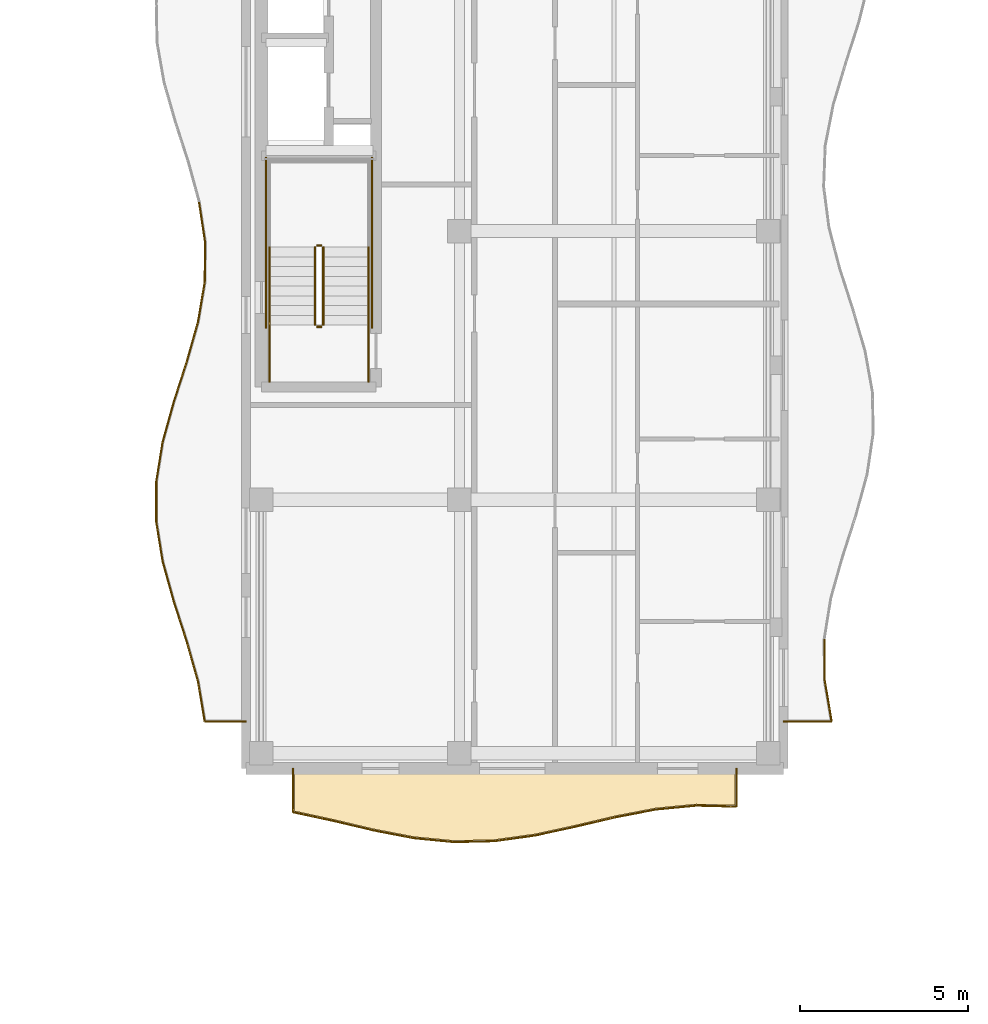
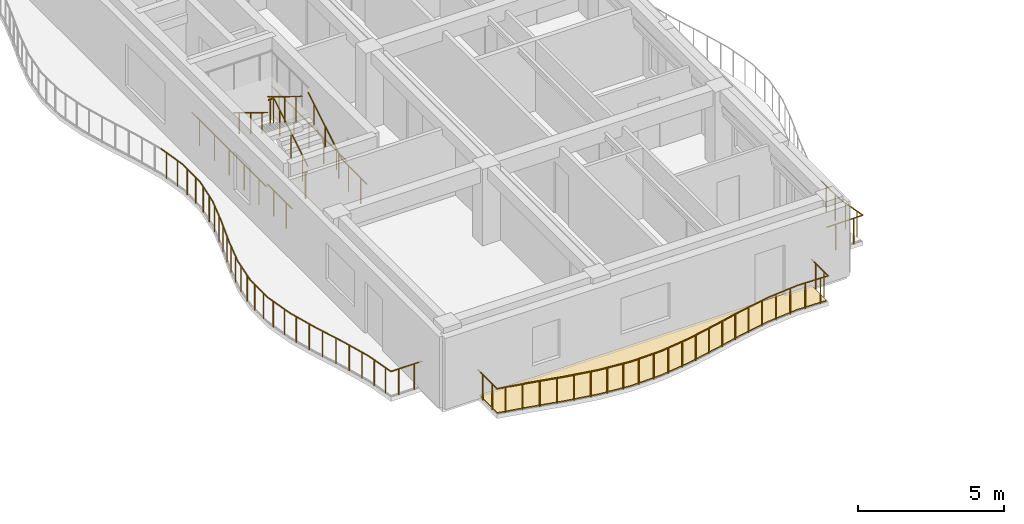
# One storey, part 70 of 89: 40 railings, 1 covering.
"""IFC4 building model written with IfcOpenShell, lengths in metres."""

from ifc_helpers import new_model, si_unit, direction, frame, origin, origin_2d, place, context, subcontext, project, spatial, polyline, circle, outline, extrude, material, layer, layer_set, type_object, element, save


model = new_model("IFC4")

# Units and contexts
model_context = context("Model", 3, precision=1e-05, world=origin(), true_north=direction((0.0, 1.0)))
body_context = subcontext(model_context, "Body", "Model", "MODEL_VIEW")
ifc_project = project(units=[si_unit("LENGTHUNIT", "METRE"), si_unit("AREAUNIT", "SQUARE_METRE"), si_unit("VOLUMEUNIT", "CUBIC_METRE"), si_unit("PLANEANGLEUNIT", "RADIAN"), si_unit("MASSUNIT", "GRAM", prefix="KILO")], contexts=[model_context])

# Site, building, storey
site_placement = place(None, origin())
site = spatial("IfcSite", under=ifc_project, at=site_placement, CompositionType="ELEMENT")
building_placement = place(site_placement, origin())
building = spatial("IfcBuilding", under=site, at=building_placement, Name="Keldmere Railside Commons", CompositionType="ELEMENT")
storey_placement = place(building_placement, frame((0.0, 0.0, 7.360107421875)))
storey = spatial("IfcBuildingStorey", under=building, at=storey_placement, Name="L02", CompositionType="ELEMENT", Elevation=7.360107421875)

# Railings
ifc_material_1 = material(Name="Steel F-24 (S235)", Category="steel")
railing_type_1 = type_object("IfcRailingType", Name="Balcony & Terrace Steel Balustrade 1100", PredefinedType="BALUSTRADE", material=ifc_material_1)
railing_1_placement = place(storey_placement, frame((120.0, 57.39990234375, 0.0)))
element("IfcRailing", 1, at=railing_1_placement, inside=storey, type_object=railing_type_1, Name="GR-1 GRD-L02-2012", PredefinedType="BALUSTRADE", context=body_context, shape_type="SweptSolid", body=[
    extrude(circle(Radius=0.02392578125, at=origin_2d()), frame((0.0, 0.0, 1.076171875), z_axis=(1.0, 0.0, 0.0), x_axis=(0.0, 1.0, 0.0)), (0.0, 0.0, 1.0), 1.43408203125),
    extrude(circle(Radius=0.02099609375, at=origin_2d()), frame((0.3583984375, 0.0, 0.0)), (0.0, 0.0, 1.0), 1.048095703125),
    extrude(circle(Radius=0.02099609375, at=origin_2d()), frame((1.07568359375, 0.0, 0.0)), (0.0, 0.0, 1.0), 1.048095703125),
])
railing_2_placement = place(storey_placement, frame((121.43408203125, 57.39990234375, 0.0)))
element("IfcRailing", 2, at=railing_2_placement, inside=storey, type_object=railing_type_1, Name="GR-1 GRD-L02-2013", PredefinedType="BALUSTRADE", context=body_context, shape_type="SweptSolid", body=[
    extrude(circle(Radius=0.02392578125, at=origin_2d()), frame((0.0, 0.0, 1.076171875), z_axis=(-0.165291324256, 0.986244786108, 0.0), x_axis=(-0.986244786108, -0.165291324256, 0.0)), (0.0, 0.0, 1.0), 1.2421875),
    extrude(circle(Radius=0.02099609375, at=origin_2d()), frame((-0.05126953125, 0.30615234375, 0.0)), (0.0, 0.0, 1.0), 1.048095703125),
    extrude(circle(Radius=0.02099609375, at=origin_2d()), frame((-0.154052734375, 0.9189453125, 0.0)), (0.0, 0.0, 1.0), 1.048095703125),
])
railing_3_placement = place(storey_placement, frame((121.228759765625, 58.625, 0.0)))
element("IfcRailing", 3, at=railing_3_placement, inside=storey, type_object=railing_type_1, Name="GR-1 GRD-L02-2014", PredefinedType="BALUSTRADE", context=body_context, shape_type="SweptSolid", body=[
    extrude(circle(Radius=0.02392578125, at=origin_2d()), frame((0.0, 0.0, 1.076171875), z_axis=(-0.003387784465, 0.999994261442, 0.0), x_axis=(-0.999994261442, -0.003387784465, 0.0)), (0.0, 0.0, 1.0), 1.22509765625),
    extrude(circle(Radius=0.02099609375, at=origin_2d()), frame((-0.0009765625, 0.30615234375, 0.0)), (0.0, 0.0, 1.0), 1.048095703125),
    extrude(circle(Radius=0.02099609375, at=origin_2d()), frame((-0.003173828125, 0.9189453125, 0.0)), (0.0, 0.0, 1.0), 1.048095703125),
])
railing_4_placement = place(storey_placement, frame((104.0, 57.39990234375, 0.0)))
element("IfcRailing", 4, at=railing_4_placement, inside=storey, type_object=railing_type_1, Name="GR-1 GRD-L02-2038", PredefinedType="BALUSTRADE", context=body_context, shape_type="SweptSolid", body=[
    extrude(circle(Radius=0.02392578125, at=origin_2d()), frame((0.0, 0.0, 1.076171875), z_axis=(-1.0, 0.0, 0.0), x_axis=(0.0, -1.0, 0.0)), (0.0, 0.0, 1.0), 1.230712890625),
    extrude(circle(Radius=0.02099609375, at=origin_2d()), frame((-0.3076171875, 0.0, 0.0)), (0.0, 0.0, 1.0), 1.048095703125),
    extrude(circle(Radius=0.02099609375, at=origin_2d()), frame((-0.923095703125, 0.0, 0.0)), (0.0, 0.0, 1.0), 1.048095703125),
])
railing_5_placement = place(storey_placement, frame((102.769287109375, 57.39990234375, 0.0)))
element("IfcRailing", 5, at=railing_5_placement, inside=storey, type_object=railing_type_1, Name="GR-1 GRD-L02-2039", PredefinedType="BALUSTRADE", context=body_context, shape_type="SweptSolid", body=[
    extrude(circle(Radius=0.02392578125, at=origin_2d()), frame((0.0, 0.0, 1.076171875), z_axis=(-0.166040558113, 0.986118924401, 0.0), x_axis=(-0.986118924401, -0.166040558113, 0.0)), (0.0, 0.0, 1.0), 1.205810546875),
    extrude(circle(Radius=0.02099609375, at=origin_2d()), frame((-0.050048828125, 0.29736328125, 0.0)), (0.0, 0.0, 1.0), 1.048095703125),
    extrude(circle(Radius=0.02099609375, at=origin_2d()), frame((-0.150146484375, 0.8916015625, 0.0)), (0.0, 0.0, 1.0), 1.048095703125),
])
railing_6_placement = place(storey_placement, frame((102.569091796875, 58.5888671875, 0.0)))
element("IfcRailing", 6, at=railing_6_placement, inside=storey, type_object=railing_type_1, Name="GR-1 GRD-L02-2040", PredefinedType="BALUSTRADE", context=body_context, shape_type="SweptSolid", body=[
    extrude(circle(Radius=0.02392578125, at=origin_2d()), frame((0.0, 0.0, 1.076171875), z_axis=(-0.272450161614, 0.962169896347, 0.0), x_axis=(-0.962169896347, -0.272450161614, 0.0)), (0.0, 0.0, 1.0), 1.235595703125),
    extrude(circle(Radius=0.02099609375, at=origin_2d()), frame((-0.084228515625, 0.29736328125, 0.0)), (0.0, 0.0, 1.0), 1.048095703125),
    extrude(circle(Radius=0.02099609375, at=origin_2d()), frame((-0.25244140625, 0.8916015625, 0.0)), (0.0, 0.0, 1.0), 1.048095703125),
])
railing_7_placement = place(storey_placement, frame((102.232421875, 59.77783203125, 0.0)))
element("IfcRailing", 7, at=railing_7_placement, inside=storey, type_object=railing_type_1, Name="GR-1 GRD-L02-2041", PredefinedType="BALUSTRADE", context=body_context, shape_type="SweptSolid", body=[
    extrude(circle(Radius=0.02392578125, at=origin_2d()), frame((0.0, 0.0, 1.076171875), z_axis=(-0.307893106044, 0.95142095586, 0.0), x_axis=(-0.95142095586, -0.307893106044, 0.0)), (0.0, 0.0, 1.0), 1.249755859375),
    extrude(circle(Radius=0.02099609375, at=origin_2d()), frame((-0.09619140625, 0.29736328125, 0.0)), (0.0, 0.0, 1.0), 1.048095703125),
    extrude(circle(Radius=0.02099609375, at=origin_2d()), frame((-0.28857421875, 0.8916015625, 0.0)), (0.0, 0.0, 1.0), 1.048095703125),
])
railing_8_placement = place(storey_placement, frame((101.84765625, 60.966796875, 0.0)))
element("IfcRailing", 8, at=railing_8_placement, inside=storey, type_object=railing_type_1, Name="GR-1 GRD-L02-2042", PredefinedType="BALUSTRADE", context=body_context, shape_type="SweptSolid", body=[
    extrude(circle(Radius=0.02392578125, at=origin_2d()), frame((0.0, 0.0, 1.076171875), z_axis=(-0.268470275975, 0.963287968843, 0.0), x_axis=(-0.963287968843, -0.268470275975, 0.0)), (0.0, 0.0, 1.0), 1.234130859375),
    extrude(circle(Radius=0.02099609375, at=origin_2d()), frame((-0.082763671875, 0.297119140625, 0.0)), (0.0, 0.0, 1.0), 1.048095703125),
    extrude(circle(Radius=0.02099609375, at=origin_2d()), frame((-0.24853515625, 0.8916015625, 0.0)), (0.0, 0.0, 1.0), 1.048095703125),
])
railing_9_placement = place(storey_placement, frame((101.516357421875, 62.155517578125, 0.0)))
element("IfcRailing", 9, at=railing_9_placement, inside=storey, type_object=railing_type_1, Name="GR-1 GRD-L02-2043", PredefinedType="BALUSTRADE", context=body_context, shape_type="SweptSolid", body=[
    extrude(circle(Radius=0.02392578125, at=origin_2d()), frame((0.0, 0.0, 1.076171875), z_axis=(-0.158741619154, 0.987320160003, 0.0), x_axis=(-0.987320160003, -0.158741619154, 0.0)), (0.0, 0.0, 1.0), 1.204345703125),
    extrude(circle(Radius=0.02099609375, at=origin_2d()), frame((-0.0478515625, 0.29736328125, 0.0)), (0.0, 0.0, 1.0), 1.048095703125),
    extrude(circle(Radius=0.02099609375, at=origin_2d()), frame((-0.143310546875, 0.8916015625, 0.0)), (0.0, 0.0, 1.0), 1.048095703125),
])
railing_10_placement = place(storey_placement, frame((101.3251953125, 63.344482421875, 0.0)))
element("IfcRailing", 10, at=railing_10_placement, inside=storey, type_object=railing_type_1, Name="GR-1 GRD-L02-2044", PredefinedType="BALUSTRADE", context=body_context, shape_type="SweptSolid", body=[
    extrude(circle(Radius=0.02392578125, at=origin_2d()), frame((0.0, 0.0, 1.076171875), z_axis=(-0.000205380977, 0.999999978909, 0.0), x_axis=(-0.999999978909, -0.000205380977, 0.0)), (0.0, 0.0, 1.0), 1.188720703125),
    extrude(circle(Radius=0.02099609375, at=origin_2d()), frame((0.0, 0.297119140625, 0.0)), (0.0, 0.0, 1.0), 1.048095703125),
    extrude(circle(Radius=0.02099609375, at=origin_2d()), frame((-0.000244140625, 0.8916015625, 0.0)), (0.0, 0.0, 1.0), 1.048095703125),
])
railing_11_placement = place(storey_placement, frame((101.324951171875, 64.533203125, 0.0)))
element("IfcRailing", 11, at=railing_11_placement, inside=storey, type_object=railing_type_1, Name="GR-1 GRD-L02-2045", PredefinedType="BALUSTRADE", context=body_context, shape_type="SweptSolid", body=[
    extrude(circle(Radius=0.02392578125, at=origin_2d()), frame((0.0, 0.0, 1.076171875), z_axis=(0.15814865406, 0.987415314454, 0.0), x_axis=(-0.987415314454, 0.15814865406, 0.0)), (0.0, 0.0, 1.0), 1.2041015625),
    extrude(circle(Radius=0.02099609375, at=origin_2d()), frame((0.047607421875, 0.29736328125, 0.0)), (0.0, 0.0, 1.0), 1.048095703125),
    extrude(circle(Radius=0.02099609375, at=origin_2d()), frame((0.142822265625, 0.8916015625, 0.0)), (0.0, 0.0, 1.0), 1.048095703125),
])
railing_12_placement = place(storey_placement, frame((101.515380859375, 65.72216796875, 0.0)))
element("IfcRailing", 12, at=railing_12_placement, inside=storey, type_object=railing_type_1, Name="GR-1 GRD-L02-2046", PredefinedType="BALUSTRADE", context=body_context, shape_type="SweptSolid", body=[
    extrude(circle(Radius=0.02392578125, at=origin_2d()), frame((0.0, 0.0, 1.076171875), z_axis=(0.268235554398, 0.963353355398, 0.0), x_axis=(-0.963353355398, 0.268235554398, 0.0)), (0.0, 0.0, 1.0), 1.234130859375),
    extrude(circle(Radius=0.02099609375, at=origin_2d()), frame((0.082763671875, 0.29736328125, 0.0)), (0.0, 0.0, 1.0), 1.048095703125),
    extrude(circle(Radius=0.02099609375, at=origin_2d()), frame((0.248291015625, 0.8916015625, 0.0)), (0.0, 0.0, 1.0), 1.048095703125),
])
railing_13_placement = place(storey_placement, frame((101.846435546875, 66.9111328125, 0.0)))
element("IfcRailing", 13, at=railing_13_placement, inside=storey, type_object=railing_type_1, Name="GR-1 GRD-L02-2047", PredefinedType="BALUSTRADE", context=body_context, shape_type="SweptSolid", body=[
    extrude(circle(Radius=0.02392578125, at=origin_2d()), frame((0.0, 0.0, 1.076171875), z_axis=(0.307893106044, 0.95142095586, 0.0), x_axis=(-0.95142095586, 0.307893106044, 0.0)), (0.0, 0.0, 1.0), 1.249755859375),
    extrude(circle(Radius=0.02099609375, at=origin_2d()), frame((0.09619140625, 0.29736328125, 0.0)), (0.0, 0.0, 1.0), 1.048095703125),
    extrude(circle(Radius=0.02099609375, at=origin_2d()), frame((0.28857421875, 0.8916015625, 0.0)), (0.0, 0.0, 1.0), 1.048095703125),
])
railing_14_placement = place(storey_placement, frame((102.231201171875, 68.10009765625, 0.0)))
element("IfcRailing", 14, at=railing_14_placement, inside=storey, type_object=railing_type_1, Name="GR-1 GRD-L02-2048", PredefinedType="BALUSTRADE", context=body_context, shape_type="SweptSolid", body=[
    extrude(circle(Radius=0.02392578125, at=origin_2d()), frame((0.0, 0.0, 1.076171875), z_axis=(0.27268488268, 0.962103401282, 0.0), x_axis=(-0.962103401282, 0.27268488268, 0.0)), (0.0, 0.0, 1.0), 1.235595703125),
    extrude(circle(Radius=0.02099609375, at=origin_2d()), frame((0.084228515625, 0.297119140625, 0.0)), (0.0, 0.0, 1.0), 1.048095703125),
    extrude(circle(Radius=0.02099609375, at=origin_2d()), frame((0.252685546875, 0.8916015625, 0.0)), (0.0, 0.0, 1.0), 1.048095703125),
])
railing_15_placement = place(storey_placement, frame((102.568115234375, 69.288818359375, 0.0)))
element("IfcRailing", 15, at=railing_15_placement, inside=storey, type_object=railing_type_1, Name="GR-1 GRD-L02-2049", PredefinedType="BALUSTRADE", context=body_context, shape_type="SweptSolid", body=[
    extrude(circle(Radius=0.02392578125, at=origin_2d()), frame((0.0, 0.0, 1.076171875), z_axis=(0.166434330335, 0.986052541037, 0.0), x_axis=(-0.986052541037, 0.166434330335, 0.0)), (0.0, 0.0, 1.0), 1.205810546875),
    extrude(circle(Radius=0.02099609375, at=origin_2d()), frame((0.05029296875, 0.29736328125, 0.0)), (0.0, 0.0, 1.0), 1.048095703125),
    extrude(circle(Radius=0.02099609375, at=origin_2d()), frame((0.150390625, 0.8916015625, 0.0)), (0.0, 0.0, 1.0), 1.048095703125),
])
railing_16_placement = place(storey_placement, frame((102.768798828125, 70.477783203125, 0.0)))
element("IfcRailing", 16, at=railing_16_placement, inside=storey, type_object=railing_type_1, Name="GR-1 GRD-L02-2050", PredefinedType="BALUSTRADE", context=body_context, shape_type="SweptSolid", body=[
    extrude(circle(Radius=0.02392578125, at=origin_2d()), frame((0.0, 0.0, 1.076171875), z_axis=(0.009650474611, 0.999953433086, 0.0), x_axis=(-0.999953433086, 0.009650474611, 0.0)), (0.0, 0.0, 1.0), 1.18896484375),
    extrude(circle(Radius=0.02099609375, at=origin_2d()), frame((0.0029296875, 0.29736328125, 0.0)), (0.0, 0.0, 1.0), 1.048095703125),
    extrude(circle(Radius=0.02099609375, at=origin_2d()), frame((0.008544921875, 0.8916015625, 0.0)), (0.0, 0.0, 1.0), 1.048095703125),
])
railing_17_placement = place(storey_placement, frame((102.7802734375, 71.666748046875, 0.0)))
element("IfcRailing", 17, at=railing_17_placement, inside=storey, type_object=railing_type_1, Name="GR-1 GRD-L02-2051", PredefinedType="BALUSTRADE", context=body_context, shape_type="SweptSolid", body=[
    extrude(circle(Radius=0.02392578125, at=origin_2d()), frame((0.0, 0.0, 1.076171875), z_axis=(-0.150226326126, 0.98865163275, 0.0), x_axis=(-0.98865163275, -0.150226326126, 0.0)), (0.0, 0.0, 1.0), 1.20263671875),
    extrude(circle(Radius=0.02099609375, at=origin_2d()), frame((-0.045166015625, 0.29736328125, 0.0)), (0.0, 0.0, 1.0), 1.048095703125),
    extrude(circle(Radius=0.02099609375, at=origin_2d()), frame((-0.135498046875, 0.8916015625, 0.0)), (0.0, 0.0, 1.0), 1.048095703125),
])
railing_18_placement = place(storey_placement, frame((105.39990234375, 56.0, 0.0)))
element("IfcRailing", 18, at=railing_18_placement, inside=storey, type_object=railing_type_1, Name="GR-1 GRD-L02-2093", PredefinedType="BALUSTRADE", context=body_context, shape_type="SweptSolid", body=[
    extrude(circle(Radius=0.02392578125, at=origin_2d()), frame((0.0, 0.0, 1.076171875), z_axis=(0.0, -1.0, 0.0), x_axis=(1.0, 0.0, 0.0)), (0.0, 0.0, 1.0), 1.302734375),
    extrude(circle(Radius=0.02099609375, at=origin_2d()), frame((0.0, -0.32568359375, 0.0)), (0.0, 0.0, 1.0), 1.048095703125),
    extrude(circle(Radius=0.02099609375, at=origin_2d()), frame((0.0, -0.97705078125, 0.0)), (0.0, 0.0, 1.0), 1.048095703125),
])
railing_19_placement = place(storey_placement, frame((105.39990234375, 54.697265625, 0.0)))
element("IfcRailing", 19, at=railing_19_placement, inside=storey, type_object=railing_type_1, Name="GR-1 GRD-L02-2094", PredefinedType="BALUSTRADE", context=body_context, shape_type="SweptSolid", body=[
    extrude(circle(Radius=0.02392578125, at=origin_2d()), frame((0.0, 0.0, 1.076171875), z_axis=(0.97736974716, -0.211538122656, 0.0), x_axis=(0.211538122656, 0.97736974716, 0.0)), (0.0, 0.0, 1.0), 1.22802734375),
    extrude(circle(Radius=0.02099609375, at=origin_2d()), frame((0.300048828125, -0.06494140625, 0.0)), (0.0, 0.0, 1.0), 1.048095703125),
    extrude(circle(Radius=0.02099609375, at=origin_2d()), frame((0.900146484375, -0.19482421875, 0.0)), (0.0, 0.0, 1.0), 1.048095703125),
])
railing_20_placement = place(storey_placement, frame((106.60009765625, 54.4375, 0.0)))
element("IfcRailing", 20, at=railing_20_placement, inside=storey, type_object=railing_type_1, Name="GR-1 GRD-L02-2095", PredefinedType="BALUSTRADE", context=body_context, shape_type="SweptSolid", body=[
    extrude(circle(Radius=0.02392578125, at=origin_2d()), frame((0.0, 0.0, 1.076171875), z_axis=(0.973261125206, -0.229701506661, 0.0), x_axis=(0.229701506661, 0.973261125206, 0.0)), (0.0, 0.0, 1.0), 1.23291015625),
    extrude(circle(Radius=0.02099609375, at=origin_2d()), frame((0.300048828125, -0.07080078125, 0.0)), (0.0, 0.0, 1.0), 1.048095703125),
    extrude(circle(Radius=0.02099609375, at=origin_2d()), frame((0.89990234375, -0.21240234375, 0.0)), (0.0, 0.0, 1.0), 1.048095703125),
])
railing_21_placement = place(storey_placement, frame((107.800048828125, 54.154296875, 0.0)))
element("IfcRailing", 21, at=railing_21_placement, inside=storey, type_object=railing_type_1, Name="GR-1 GRD-L02-2096", PredefinedType="BALUSTRADE", context=body_context, shape_type="SweptSolid", body=[
    extrude(circle(Radius=0.02392578125, at=origin_2d()), frame((0.0, 0.0, 1.076171875), z_axis=(0.981976508638, -0.189003006546, 0.0), x_axis=(0.189003006546, 0.981976508638, 0.0)), (0.0, 0.0, 1.0), 1.221923828125),
    extrude(circle(Radius=0.02099609375, at=origin_2d()), frame((0.300048828125, -0.0576171875, 0.0)), (0.0, 0.0, 1.0), 1.048095703125),
    extrude(circle(Radius=0.02099609375, at=origin_2d()), frame((0.89990234375, -0.17333984375, 0.0)), (0.0, 0.0, 1.0), 1.048095703125),
])
railing_22_placement = place(storey_placement, frame((109.0, 53.92333984375, 0.0)))
element("IfcRailing", 22, at=railing_22_placement, inside=storey, type_object=railing_type_1, Name="GR-1 GRD-L02-2097", PredefinedType="BALUSTRADE", context=body_context, shape_type="SweptSolid", body=[
    extrude(circle(Radius=0.02392578125, at=origin_2d()), frame((0.0, 0.0, 1.076171875), z_axis=(0.99532367136, -0.096596010425, 0.0), x_axis=(0.096596010425, 0.99532367136, 0.0)), (0.0, 0.0, 1.0), 1.20556640625),
    extrude(circle(Radius=0.02099609375, at=origin_2d()), frame((0.300048828125, -0.029052734375, 0.0)), (0.0, 0.0, 1.0), 1.048095703125),
    extrude(circle(Radius=0.02099609375, at=origin_2d()), frame((0.89990234375, -0.08740234375, 0.0)), (0.0, 0.0, 1.0), 1.048095703125),
])
railing_23_placement = place(storey_placement, frame((110.199951171875, 53.806884765625, 0.0)))
element("IfcRailing", 23, at=railing_23_placement, inside=storey, type_object=railing_type_1, Name="GR-1 GRD-L02-2098", PredefinedType="BALUSTRADE", context=body_context, shape_type="SweptSolid", body=[
    extrude(circle(Radius=0.02392578125, at=origin_2d()), frame((0.0, 0.0, 1.076171875), z_axis=(0.999707028081, 0.024204503833, 0.0), x_axis=(-0.024204503833, 0.999707028081, 0.0)), (0.0, 0.0, 1.0), 1.2001953125),
    extrude(circle(Radius=0.02099609375, at=origin_2d()), frame((0.300048828125, 0.00732421875, 0.0)), (0.0, 0.0, 1.0), 1.048095703125),
    extrude(circle(Radius=0.02099609375, at=origin_2d()), frame((0.89990234375, 0.021728515625, 0.0)), (0.0, 0.0, 1.0), 1.048095703125),
])
railing_24_placement = place(storey_placement, frame((111.39990234375, 53.8359375, 0.0)))
element("IfcRailing", 24, at=railing_24_placement, inside=storey, type_object=railing_type_1, Name="GR-1 GRD-L02-2099", PredefinedType="BALUSTRADE", context=body_context, shape_type="SweptSolid", body=[
    extrude(circle(Radius=0.02392578125, at=origin_2d()), frame((0.0, 0.0, 1.076171875), z_axis=(0.990486171306, 0.1376122976, 0.0), x_axis=(-0.1376122976, 0.990486171306, 0.0)), (0.0, 0.0, 1.0), 1.211669921875),
    extrude(circle(Radius=0.02099609375, at=origin_2d()), frame((0.300048828125, 0.041748046875, 0.0)), (0.0, 0.0, 1.0), 1.048095703125),
    extrude(circle(Radius=0.02099609375, at=origin_2d()), frame((0.900146484375, 0.125, 0.0)), (0.0, 0.0, 1.0), 1.048095703125),
])
railing_25_placement = place(storey_placement, frame((112.60009765625, 54.002685546875, 0.0)))
element("IfcRailing", 25, at=railing_25_placement, inside=storey, type_object=railing_type_1, Name="GR-1 GRD-L02-2100", PredefinedType="BALUSTRADE", context=body_context, shape_type="SweptSolid", body=[
    extrude(circle(Radius=0.02392578125, at=origin_2d()), frame((0.0, 0.0, 1.076171875), z_axis=(0.977319710639, 0.21176917433, 0.0), x_axis=(-0.21176917433, 0.977319710639, 0.0)), (0.0, 0.0, 1.0), 1.227783203125),
    extrude(circle(Radius=0.02099609375, at=origin_2d()), frame((0.300048828125, 0.06494140625, 0.0)), (0.0, 0.0, 1.0), 1.048095703125),
    extrude(circle(Radius=0.02099609375, at=origin_2d()), frame((0.89990234375, 0.195068359375, 0.0)), (0.0, 0.0, 1.0), 1.048095703125),
])
railing_26_placement = place(storey_placement, frame((113.800048828125, 54.2626953125, 0.0)))
element("IfcRailing", 26, at=railing_26_placement, inside=storey, type_object=railing_type_1, Name="GR-1 GRD-L02-2101", PredefinedType="BALUSTRADE", context=body_context, shape_type="SweptSolid", body=[
    extrude(circle(Radius=0.02392578125, at=origin_2d()), frame((0.0, 0.0, 1.076171875), z_axis=(0.973261125206, 0.229701506661, 0.0), x_axis=(-0.229701506661, 0.973261125206, 0.0)), (0.0, 0.0, 1.0), 1.23291015625),
    extrude(circle(Radius=0.02099609375, at=origin_2d()), frame((0.300048828125, 0.07080078125, 0.0)), (0.0, 0.0, 1.0), 1.048095703125),
    extrude(circle(Radius=0.02099609375, at=origin_2d()), frame((0.89990234375, 0.21240234375, 0.0)), (0.0, 0.0, 1.0), 1.048095703125),
])
railing_27_placement = place(storey_placement, frame((115.0, 54.5458984375, 0.0)))
element("IfcRailing", 27, at=railing_27_placement, inside=storey, type_object=railing_type_1, Name="GR-1 GRD-L02-2102", PredefinedType="BALUSTRADE", context=body_context, shape_type="SweptSolid", body=[
    extrude(circle(Radius=0.02392578125, at=origin_2d()), frame((0.0, 0.0, 1.076171875), z_axis=(0.982013571792, 0.188810340863, 0.0), x_axis=(-0.188810340863, 0.982013571792, 0.0)), (0.0, 0.0, 1.0), 1.221923828125),
    extrude(circle(Radius=0.02099609375, at=origin_2d()), frame((0.300048828125, 0.0576171875, 0.0)), (0.0, 0.0, 1.0), 1.048095703125),
    extrude(circle(Radius=0.02099609375, at=origin_2d()), frame((0.89990234375, 0.173095703125, 0.0)), (0.0, 0.0, 1.0), 1.048095703125),
])
railing_28_placement = place(storey_placement, frame((116.199951171875, 54.776611328125, 0.0)))
element("IfcRailing", 28, at=railing_28_placement, inside=storey, type_object=railing_type_1, Name="GR-1 GRD-L02-2103", PredefinedType="BALUSTRADE", context=body_context, shape_type="SweptSolid", body=[
    extrude(circle(Radius=0.02392578125, at=origin_2d()), frame((0.0, 0.0, 1.076171875), z_axis=(0.99532367136, 0.096596010425, 0.0), x_axis=(-0.096596010425, 0.99532367136, 0.0)), (0.0, 0.0, 1.0), 1.20556640625),
    extrude(circle(Radius=0.02099609375, at=origin_2d()), frame((0.300048828125, 0.029052734375, 0.0)), (0.0, 0.0, 1.0), 1.048095703125),
    extrude(circle(Radius=0.02099609375, at=origin_2d()), frame((0.89990234375, 0.08740234375, 0.0)), (0.0, 0.0, 1.0), 1.048095703125),
])
railing_29_placement = place(storey_placement, frame((117.39990234375, 54.89306640625, 0.0)))
element("IfcRailing", 29, at=railing_29_placement, inside=storey, type_object=railing_type_1, Name="GR-1 GRD-L02-2104", PredefinedType="BALUSTRADE", context=body_context, shape_type="SweptSolid", body=[
    extrude(circle(Radius=0.02392578125, at=origin_2d()), frame((0.0, 0.0, 1.076171875), z_axis=(0.999707147208, -0.0241995831, 0.0), x_axis=(0.0241995831, 0.999707147208, 0.0)), (0.0, 0.0, 1.0), 1.200439453125),
    extrude(circle(Radius=0.02099609375, at=origin_2d()), frame((0.300048828125, -0.00732421875, 0.0)), (0.0, 0.0, 1.0), 1.048095703125),
    extrude(circle(Radius=0.02099609375, at=origin_2d()), frame((0.900146484375, -0.021728515625, 0.0)), (0.0, 0.0, 1.0), 1.048095703125),
])
railing_30_placement = place(storey_placement, frame((118.60009765625, 54.864013671875, 0.0)))
element("IfcRailing", 30, at=railing_30_placement, inside=storey, type_object=railing_type_1, Name="GR-1 GRD-L02-2105", PredefinedType="BALUSTRADE", context=body_context, shape_type="SweptSolid", body=[
    extrude(circle(Radius=0.02392578125, at=origin_2d()), frame((0.0, 0.0, 1.076171875), z_axis=(0.0, 1.0, 0.0), x_axis=(-1.0, 0.0, 0.0)), (0.0, 0.0, 1.0), 1.135986328125),
    extrude(circle(Radius=0.02099609375, at=origin_2d()), frame((0.0, 0.283935546875, 0.0)), (0.0, 0.0, 1.0), 1.048095703125),
    extrude(circle(Radius=0.02099609375, at=origin_2d()), frame((0.0, 0.85205078125, 0.0)), (0.0, 0.0, 1.0), 1.048095703125),
])
railing_type_2 = type_object("IfcRailingType", Name="Stair Well Steel Guardrail 1100", PredefinedType="BALUSTRADE", material=ifc_material_1)
railing_31_placement = place(storey_placement, frame((106.300048828125, 69.199951171875, 0.177734375)))
element("IfcRailing", 31, at=railing_31_placement, inside=storey, type_object=railing_type_2, Name="L02 ST-B1 stair guard 1", PredefinedType="BALUSTRADE", context=body_context, shape_type="SweptSolid", body=[
    extrude(circle(Radius=0.02392578125, at=origin_2d()), frame((0.0, 0.0, 1.076171875), z_axis=(0.0, 0.852578041948, 0.522599925744), x_axis=(-1.0, 0.0, 0.0)), (0.0, 0.0, 1.0), 2.72119140625),
    extrude(circle(Radius=0.02099609375, at=origin_2d()), frame((0.0, 0.38671875, 0.237060546875)), (0.0, 0.0, 1.0), 1.048095703125),
    extrude(circle(Radius=0.02099609375, at=origin_2d()), frame((0.0, 1.16015625, 0.7109375)), (0.0, 0.0, 1.0), 1.048095703125),
    extrude(circle(Radius=0.02099609375, at=origin_2d()), frame((0.0, 1.933349609375, 1.18505859375)), (0.0, 0.0, 1.0), 1.048095703125),
])
railing_32_placement = place(storey_placement, frame((106.25, 71.570068359375, 1.599853515625)))
element("IfcRailing", 32, at=railing_32_placement, inside=storey, type_object=railing_type_2, Name="L02 ST-B1 stair guard 2", PredefinedType="BALUSTRADE", context=body_context, shape_type="SweptSolid", body=[
    extrude(circle(Radius=0.02392578125, at=origin_2d()), frame((0.0, 0.0, 1.076171875), z_axis=(-1.0, 0.0, 0.0), x_axis=(0.0, -1.0, 0.0)), (0.0, 0.0, 1.0), 0.14990234375),
    extrude(circle(Radius=0.02099609375, at=origin_2d()), frame((-0.074951171875, 0.0, 0.0)), (0.0, 0.0, 1.0), 1.048095703125),
])
railing_33_placement = place(storey_placement, frame((106.050048828125, 71.52001953125, 1.777587890625)))
element("IfcRailing", 33, at=railing_33_placement, inside=storey, type_object=railing_type_2, Name="L02 ST-B1 stair guard 6", PredefinedType="BALUSTRADE", context=body_context, shape_type="SweptSolid", body=[
    extrude(circle(Radius=0.02392578125, at=origin_2d()), frame((0.0, 0.0, 1.076171875), z_axis=(0.0, -0.852538067394, 0.522665135287), x_axis=(1.0, 0.0, 0.0)), (0.0, 0.0, 1.0), 2.721435546875),
    extrude(circle(Radius=0.02099609375, at=origin_2d()), frame((0.0, -0.38671875, 0.237060546875)), (0.0, 0.0, 1.0), 1.048095703125),
    extrude(circle(Radius=0.02099609375, at=origin_2d()), frame((0.0, -1.16015625, 0.711181640625)), (0.0, 0.0, 1.0), 1.048095703125),
    extrude(circle(Radius=0.02099609375, at=origin_2d()), frame((0.0, -1.933349609375, 1.185302734375)), (0.0, 0.0, 1.0), 1.048095703125),
])
railing_34_placement = place(storey_placement, frame((106.25, 69.14990234375, 0.0)))
element("IfcRailing", 34, at=railing_34_placement, inside=storey, type_object=railing_type_2, Name="L02 ST-B1 stair guard 7", PredefinedType="BALUSTRADE", context=body_context, shape_type="SweptSolid", body=[
    extrude(circle(Radius=0.02392578125, at=origin_2d()), frame((0.0, 0.0, 1.076171875), z_axis=(-1.0, 0.0, 0.0), x_axis=(0.0, -1.0, 0.0)), (0.0, 0.0, 1.0), 0.14990234375),
    extrude(circle(Radius=0.02099609375, at=origin_2d()), frame((-0.074951171875, 0.0, 0.0)), (0.0, 0.0, 1.0), 1.048095703125),
])
for number, where, name in (
    (35, (107.64990234375, 67.5, 0.0), "L02 ST-B1 stair guard 8"),
    (36, (104.699951171875, 67.5, 0.0), "L02 ST-B1 stair guard 9"),
):
    element("IfcRailing", number, at=place(storey_placement, frame(where)), inside=storey, type_object=railing_type_2, Name=name, PredefinedType="BALUSTRADE", context=body_context, shape_type="SweptSolid", body=[
        extrude(circle(Radius=0.02392578125, at=origin_2d()), frame((0.0, 0.0, 1.076171875), z_axis=(0.0, 1.0, 0.0), x_axis=(-1.0, 0.0, 0.0)), (0.0, 0.0, 1.0), 1.699951171875),
        extrude(circle(Radius=0.02099609375, at=origin_2d()), frame((0.0, 0.425048828125, 0.0)), (0.0, 0.0, 1.0), 1.048095703125),
        extrude(circle(Radius=0.02099609375, at=origin_2d()), frame((0.0, 1.27490234375, 0.0)), (0.0, 0.0, 1.0), 1.048095703125),
    ])
for number, where, name in (
    (37, (107.75, 69.10009765625, 0.0), "L02 ST-B1 stair guard 10"),
    (38, (104.60009765625, 69.10009765625, 0.0), "L02 ST-B1 stair guard 11"),
):
    element("IfcRailing", number, at=place(storey_placement, frame(where)), inside=storey, type_object=railing_type_2, Name=name, PredefinedType="BALUSTRADE", context=body_context, shape_type="SweptSolid", body=[
        extrude(circle(Radius=0.02392578125, at=origin_2d()), frame((0.0, 0.0, 1.076171875), z_axis=(0.0, 1.0, 0.0), x_axis=(-1.0, 0.0, 0.0)), (0.0, 0.0, 1.0), 5.099853515625),
        extrude(circle(Radius=0.02099609375, at=origin_2d()), frame((0.0, 0.510009765625, 0.0)), (0.0, 0.0, 1.0), 1.048095703125),
        extrude(circle(Radius=0.02099609375, at=origin_2d()), frame((0.0, 1.530029296875, 0.0)), (0.0, 0.0, 1.0), 1.048095703125),
        extrude(circle(Radius=0.02099609375, at=origin_2d()), frame((0.0, 2.5498046875, 0.0)), (0.0, 0.0, 1.0), 1.048095703125),
        extrude(circle(Radius=0.02099609375, at=origin_2d()), frame((0.0, 3.56982421875, 0.0)), (0.0, 0.0, 1.0), 1.048095703125),
        extrude(circle(Radius=0.02099609375, at=origin_2d()), frame((0.0, 4.58984375, 0.0)), (0.0, 0.0, 1.0), 1.048095703125),
    ])
railing_type_3 = type_object("IfcRailingType", Name="Wall-Mounted Tubular Steel Handrail 900", PredefinedType="HANDRAIL", material=ifc_material_1)
railing_35_placement = place(storey_placement, frame((107.64990234375, 69.199951171875, 0.177734375)))
element("IfcRailing", 39, at=railing_35_placement, inside=storey, type_object=railing_type_3, Name="L02 ST-B1 stair handrail 1", PredefinedType="HANDRAIL", context=body_context, shape_type="SweptSolid", body=[
    extrude(circle(Radius=0.02392578125, at=origin_2d()), frame((0.0, 0.0, 0.8759765625), z_axis=(0.0, 0.852578041948, 0.522599925744), x_axis=(-1.0, 0.0, 0.0)), (0.0, 0.0, 1.0), 2.72119140625),
    extrude(circle(Radius=0.02099609375, at=origin_2d()), frame((0.0, 0.38671875, 0.237060546875)), (0.0, 0.0, 1.0), 0.847900390625),
    extrude(circle(Radius=0.02099609375, at=origin_2d()), frame((0.0, 1.16015625, 0.7109375)), (0.0, 0.0, 1.0), 0.847900390625),
    extrude(circle(Radius=0.02099609375, at=origin_2d()), frame((0.0, 1.933349609375, 1.18505859375)), (0.0, 0.0, 1.0), 0.847900390625),
])
railing_36_placement = place(storey_placement, frame((104.699951171875, 71.52001953125, 1.777587890625)))
element("IfcRailing", 40, at=railing_36_placement, inside=storey, type_object=railing_type_3, Name="L02 ST-B1 stair handrail 2", PredefinedType="HANDRAIL", context=body_context, shape_type="SweptSolid", body=[
    extrude(circle(Radius=0.02392578125, at=origin_2d()), frame((0.0, 0.0, 0.8759765625), z_axis=(0.0, -0.852538067394, 0.522665135287), x_axis=(1.0, 0.0, 0.0)), (0.0, 0.0, 1.0), 2.721435546875),
    extrude(circle(Radius=0.02099609375, at=origin_2d()), frame((0.0, -0.38671875, 0.237060546875)), (0.0, 0.0, 1.0), 0.847900390625),
    extrude(circle(Radius=0.02099609375, at=origin_2d()), frame((0.0, -1.16015625, 0.711181640625)), (0.0, 0.0, 1.0), 0.847900390625),
    extrude(circle(Radius=0.02099609375, at=origin_2d()), frame((0.0, -1.933349609375, 1.185302734375)), (0.0, 0.0, 1.0), 0.847900390625),
])

# Covering
ifc_material_2 = material(Name="White Precast Concrete C35/45", Category="concrete")
ifc_layer = layer(ifc_material_2, 0.044921875, Name="White Architectural Balcony Ribbon Cladding 45")
ifc_layer_set = layer_set([ifc_layer], Name="White Precast Concrete C35/45")
covering_type = type_object("IfcCoveringType", Name="White Architectural Balcony Ribbon Cladding 45", PredefinedType="FLOORING", material=ifc_layer_set)
covering_placement = place(storey_placement, origin())
element("IfcCovering", 41, at=covering_placement, inside=storey, type_object=covering_type, Name="CLG-WB B L02 S White Balcony Ribbon", PredefinedType="FLOORING", context=body_context, shape_type="SweptSolid", body=[
    extrude(outline(polyline([(106.6083984375, 54.4765625), (106.609130859375, 54.476318359375), (107.808349609375, 54.193359375), (109.005615234375, 53.962890625), (110.201416015625, 53.846923828125), (111.396728515625, 53.8759765625), (112.593017578125, 54.042236328125), (113.791259765625, 54.301513671875), (114.99072265625, 54.584716796875), (114.992431640625, 54.585205078125), (116.1923828125, 54.81591796875), (116.196044921875, 54.81640625), (117.39599609375, 54.932861328125), (117.40087890625, 54.93310546875), (118.56005859375, 54.905029296875), (118.56005859375, 55.9599609375), (105.43994140625, 55.9599609375), (105.43994140625, 54.7294921875), (106.6083984375, 54.4765625)])), origin(), (0.0, 0.0, 1.0), 0.044921875),
])

save(model, "model.ifc")
